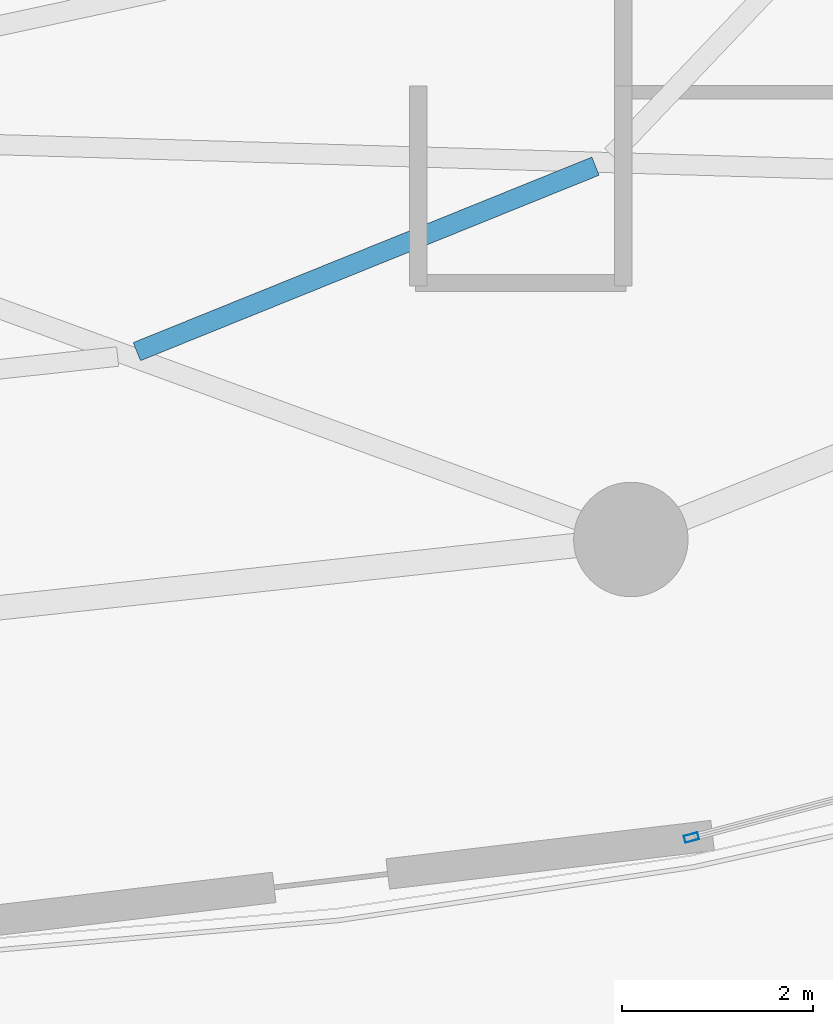
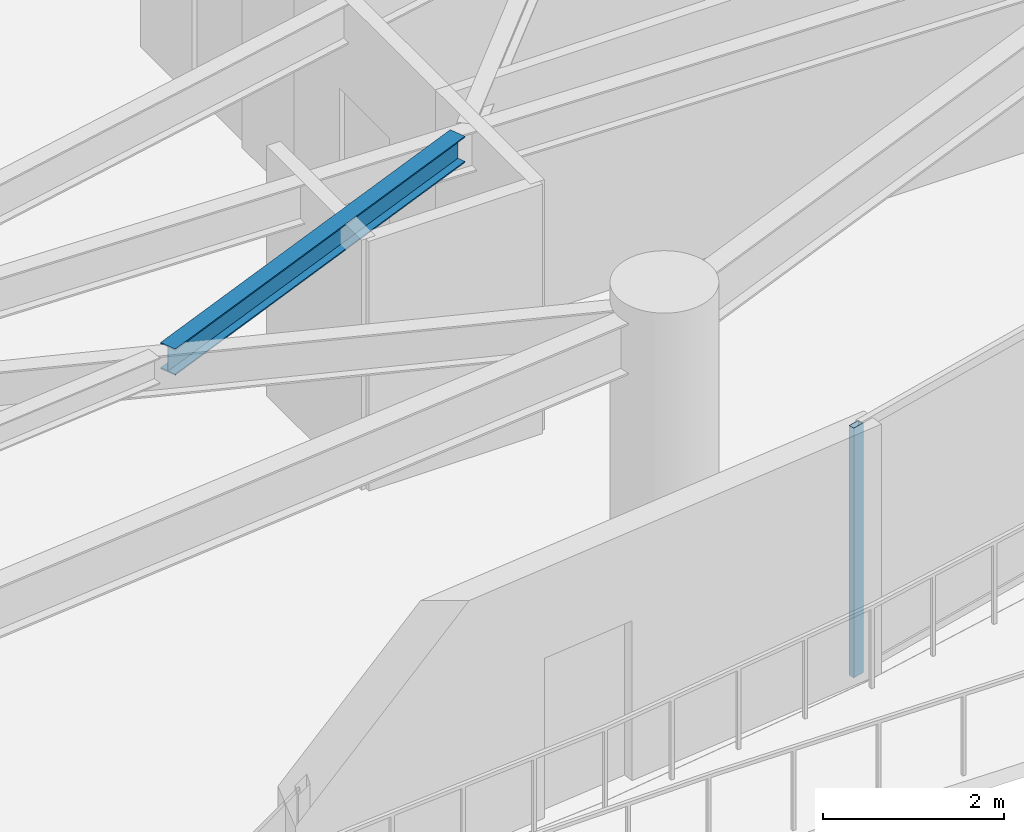
# One storey, part 12 of 33: 1 beam, 1 member, 1 element without a shape of its own.
"""IFC4 building model written with IfcOpenShell, lengths in metres."""

import ifcopenshell
import ifcopenshell.guid

model = None  # the IFC model being written
_history = None  # IfcOwnerHistory: only IFC2X3 demands one
_inside = {}  # id of a spatial element -> (the spatial element, [elements in it])
_under = {}  # id of a project, library or spatial element -> (it, [spatial elements below it])
_declared = {}  # id of a project -> (the project, [libraries it declares])
_typed = {}  # id of a type object -> (the type object, [elements of that type])
_made_of = {}  # id of a material, layer set ... -> (it, [elements and type objects made of it])


def new_model(schema):
    """Start an empty IFC model of exactly this schema.

    Asked for "IFC4X3", IfcOpenShell would pick the latest addendum, in which some entities
    have other attributes; the version numbers below select the first issue.
    IFC2X3 requires an IfcOwnerHistory on every rooted entity: one is made here for all.
    """
    global model, _history
    if schema == "IFC4X3":
        model = ifcopenshell.file(schema_version=(4, 3, 0, 0))
    else:
        model = ifcopenshell.file(schema=schema)
    _inside.clear()
    _under.clear()
    _declared.clear()
    _typed.clear()
    _made_of.clear()
    _history = None
    if model.schema == "IFC2X3":
        org = make("IfcOrganization", Name="unknown")
        user = make(
            "IfcPersonAndOrganization",
            ThePerson=make("IfcPerson", FamilyName="unknown"),
            TheOrganization=org,
        )
        app = make(
            "IfcApplication",
            ApplicationDeveloper=org,
            Version="unknown",
            ApplicationFullName="unknown",
            ApplicationIdentifier="unknown",
        )
        _history = make(
            "IfcOwnerHistory",
            OwningUser=user,
            OwningApplication=app,
            ChangeAction="ADDED",
            CreationDate=0,
        )
    return model


def make(cls, **values):
    """One entity of the class cls with the attributes given. An attribute that is None is left unset."""
    return model.create_entity(
        cls, **{name: value for name, value in values.items() if value is not None}
    )


def rooted(cls, **values):
    """An entity with a GlobalId (a new one), such as an element, a storey or a relation."""
    return make(cls, GlobalId=ifcopenshell.guid.new(), OwnerHistory=_history, **values)


def si_unit(unit_type, name, prefix=None):
    """IfcSIUnit, for example si_unit("LENGTHUNIT", "METRE", prefix="MILLI")."""
    return make("IfcSIUnit", UnitType=unit_type, Prefix=prefix, Name=name)


def assignment(units):
    """IfcUnitAssignment: the units of a project."""
    return None if units is None else make("IfcUnitAssignment", Units=units)


def point(xyz):
    """IfcCartesianPoint."""
    return None if xyz is None else make("IfcCartesianPoint", Coordinates=xyz)


def direction(xyz):
    """IfcDirection."""
    return None if xyz is None else make("IfcDirection", DirectionRatios=xyz)


def frame(location, z_axis=None, x_axis=None):
    """IfcAxis2Placement3D, a coordinate frame: its origin and axes. An axis left out is left unset."""
    return make(
        "IfcAxis2Placement3D",
        Location=point(location),
        Axis=direction(z_axis),
        RefDirection=direction(x_axis),
    )


def frame_2d(location, x_axis=None):
    """IfcAxis2Placement2D, a coordinate frame in the plane: its origin and x axis."""
    return make(
        "IfcAxis2Placement2D", Location=point(location), RefDirection=direction(x_axis)
    )


def origin():
    """The frame at (0, 0, 0) with its axes left unset."""
    return frame((0.0, 0.0, 0.0))


def origin_2d():
    """The frame at (0, 0) in the plane with its x axis left unset."""
    return frame_2d((0.0, 0.0))


def place(relative_to, where):
    """IfcLocalPlacement: puts the frame where relative to a parent placement (None: the world)."""
    return make(
        "IfcLocalPlacement", PlacementRelTo=relative_to, RelativePlacement=where
    )


def context(
    kind, dimensions, precision=None, world=None, true_north=None, identifier=None
):
    """IfcGeometricRepresentationContext, for example the 3D "Model" context."""
    return make(
        "IfcGeometricRepresentationContext",
        ContextIdentifier=identifier,
        ContextType=kind,
        CoordinateSpaceDimension=dimensions,
        Precision=precision,
        WorldCoordinateSystem=world,
        TrueNorth=true_north,
    )


def subcontext(parent, identifier, kind, view, scale=None):
    """IfcGeometricRepresentationSubContext, for example "Body" below "Model"."""
    return make(
        "IfcGeometricRepresentationSubContext",
        ContextIdentifier=identifier,
        ContextType=kind,
        ParentContext=parent,
        TargetScale=scale,
        TargetView=view,
    )


def project(units=None, contexts=None):
    """IfcProject with its units and contexts."""
    return rooted(
        "IfcProject",
        Name="project",
        RepresentationContexts=contexts,
        UnitsInContext=assignment(units),
    )


def spatial(cls, under=None, at=None, **own):
    """A site, building, storey or space (cls), placed at a placement, below another one or the project."""
    s = rooted(cls, ObjectPlacement=at, **own)
    if under is not None:
        _under.setdefault(under.id(), (under, []))[1].append(s)
    return s


def profile(cls, at=None, kind="AREA", **sizes):
    """A parametric profile (cls). Its sizes go by their IFC names, for example OverallWidth=200.0."""
    return make(cls, ProfileType=kind, Position=at, **sizes)


def hollow_rectangle(**sizes):
    """IfcRectangleHollowProfileDef."""
    return profile("IfcRectangleHollowProfileDef", **sizes)


def i_section(**sizes):
    """IfcIShapeProfileDef."""
    return profile("IfcIShapeProfileDef", **sizes)


def extrude(swept, where, along, depth):
    """IfcExtrudedAreaSolid: the profile swept, set in the frame where, extruded along a direction by depth."""
    return make(
        "IfcExtrudedAreaSolid",
        SweptArea=swept,
        Position=where,
        ExtrudedDirection=direction(along),
        Depth=depth,
    )


def shape(context_of_items, identifier, shape_type, items):
    """IfcShapeRepresentation: the items that make up one representation, for example the "Body"."""
    return make(
        "IfcShapeRepresentation",
        ContextOfItems=context_of_items,
        RepresentationIdentifier=identifier,
        RepresentationType=shape_type,
        Items=items,
    )


def material(Name=None, Category=None):
    """IfcMaterial."""
    return make("IfcMaterial", Name=Name, Category=Category)


def layer(
    of_material, thickness, ventilated=None, Name=None, Category=None, Priority=None
):
    """IfcMaterialLayer: one layer of a wall or slab, of a material (None: an air gap)."""
    return make(
        "IfcMaterialLayer",
        Material=of_material,
        LayerThickness=thickness,
        IsVentilated=ventilated,
        Name=Name,
        Category=Category,
        Priority=Priority,
    )


def layer_set(layers, Name=None):
    """IfcMaterialLayerSet."""
    return make("IfcMaterialLayerSet", MaterialLayers=layers, LayerSetName=Name)


def material_profile(
    of_material, cross_section, Name=None, Category=None, Priority=None
):
    """IfcMaterialProfile: a cross section and its material."""
    return make(
        "IfcMaterialProfile",
        Name=Name,
        Material=of_material,
        Profile=cross_section,
        Priority=Priority,
        Category=Category,
    )


def profile_set(profiles, Name=None, composite=None):
    """IfcMaterialProfileSet."""
    return make(
        "IfcMaterialProfileSet",
        Name=Name,
        MaterialProfiles=profiles,
        CompositeProfile=composite,
    )


def made_of(thing, what):
    """Note that an element or type object is made of a material, layer set ...; save() writes the relation."""
    if what is not None:
        _made_of.setdefault(what.id(), (what, []))[1].append(thing)
    return thing


def type_object(cls, material=None, **own):
    """A type object (cls), such as IfcWallType, which elements share."""
    return made_of(rooted(cls, **own), material)


def element(
    cls,
    number,
    at=None,
    inside=None,
    cuts=None,
    type_object=None,
    material=None,
    context=None,
    identifier="Body",
    shape_type=None,
    held_by="IfcProductDefinitionShape",
    body=None,
    shapes=None,
    **own,
):
    """One element of the class cls, such as IfcWall. Its Tag is "e" and its number.

    at: its placement. inside: the storey or other place that contains it. cuts: it is an
    opening in that element (IfcRelVoidsElement). A single representation is given by context,
    identifier, shape_type and body (its items); several are given by shapes. held_by: the class
    of the entity that holds the representations. save() writes the other relations.
    """
    e = rooted(cls, Tag="e%d" % number, ObjectPlacement=at, **own)
    if body is not None:
        shapes = [shape(context, identifier, shape_type, body)]
    if shapes is not None:
        e.Representation = make(held_by, Representations=shapes)
    if inside is not None:
        _inside.setdefault(inside.id(), (inside, []))[1].append(e)
    if cuts is not None:
        rooted(
            "IfcRelVoidsElement", RelatingBuildingElement=cuts, RelatedOpeningElement=e
        )
    if type_object is not None:
        _typed.setdefault(type_object.id(), (type_object, []))[1].append(e)
    return made_of(e, material)


def aggregate(whole, parts):
    """IfcRelAggregates: a whole, such as a stair, and the parts it consists of."""
    return rooted("IfcRelAggregates", RelatingObject=whole, RelatedObjects=parts)


def save(model, path):
    """Write the relations noted so far, then the file.

    IfcRelAggregates (storeys below a building ...), IfcRelContainedInSpatialStructure (elements
    in a storey), IfcRelDefinesByType, IfcRelAssociatesMaterial and IfcRelDeclares: one each for
    every whole, place, type object, material and project.
    """
    for whole, parts in _under.values():
        aggregate(whole, parts)
    for where, things in _inside.values():
        rooted(
            "IfcRelContainedInSpatialStructure",
            RelatedElements=things,
            RelatingStructure=where,
        )
    for kind, things in _typed.values():
        rooted("IfcRelDefinesByType", RelatedObjects=things, RelatingType=kind)
    for what, things in _made_of.values():
        rooted("IfcRelAssociatesMaterial", RelatedObjects=things, RelatingMaterial=what)
    for by, libraries in _declared.values():
        rooted("IfcRelDeclares", RelatingContext=by, RelatedDefinitions=libraries)
    model.write(path)


model = new_model("IFC4")

# Units and contexts
model_context = context("Model", 3, precision=1e-05, world=origin(), true_north=direction((0.0, 1.0)))
body_context = subcontext(model_context, "Body", "Model", "MODEL_VIEW")
ifc_project = project(units=[si_unit("LENGTHUNIT", "METRE"), si_unit("AREAUNIT", "SQUARE_METRE"), si_unit("VOLUMEUNIT", "CUBIC_METRE"), si_unit("PLANEANGLEUNIT", "RADIAN"), si_unit("MASSUNIT", "GRAM", prefix="KILO")], contexts=[model_context])

# Site, building, storey
site_placement = place(None, origin())
site = spatial("IfcSite", under=ifc_project, at=site_placement, CompositionType="ELEMENT")
building_placement = place(site_placement, origin())
building = spatial("IfcBuilding", under=site, at=building_placement, Name="Kazevale Care Tower and Concert Hall", CompositionType="ELEMENT")
storey_placement = place(building_placement, frame((0.0, 0.0, 153.0)))
storey = spatial("IfcBuildingStorey", under=building, at=storey_placement, Name="L40", CompositionType="ELEMENT", Elevation=153.0)

# Curtain wall, member
ifc_material_1 = material(Name="Aluminium 6063-T6 and Low-E Glass", Category="aluminium")
ifc_layer = layer(ifc_material_1, 0.179931640625)
ifc_layer_set = layer_set([ifc_layer], Name="Aluminium 6063-T6 and Low-E Glass")
curtain_wall_type = type_object("IfcCurtainWallType", Name="Sheltered Concave Balcony Curtain Wall CW-5", PredefinedType="NOTDEFINED", material=ifc_layer_set)
curtain_wall_placement = place(storey_placement, origin())
curtain_wall = element("IfcCurtainWall", 1, at=curtain_wall_placement, inside=storey, type_object=curtain_wall_type, Name="cw:L40:f04", PredefinedType="NOTDEFINED")
ifc_material_2 = material(Name="Aluminium 6063-T6", Category="aluminium")
ifc_material_profile_1 = material_profile(ifc_material_2, hollow_rectangle(XDim=0.074951171875, YDim=0.14990234375, WallThickness=0.00390625, at=origin_2d()), Name="ALU75x150x4")
ifc_profile_set_1 = profile_set([ifc_material_profile_1], Name="Aluminium 6063-T6")
member_type = type_object("IfcMemberType", Name="CW-5 Mullion ALU75x150x4", PredefinedType="MULLION", material=ifc_profile_set_1)
member_placement = place(storey_placement, frame((56.365234375, 16.18359375, 0.0), z_axis=(0.0, 0.0, 1.0), x_axis=(0.254238458229, -0.967141564797, 0.0)))
member = element("IfcMember", 2, at=member_placement, type_object=member_type, Name="CW-5 mullion 2", PredefinedType="MULLION", context=body_context, shape_type="SweptSolid", body=[
    extrude(hollow_rectangle(XDim=0.074951171875, YDim=0.14990234375, WallThickness=0.00390625, at=origin_2d()), origin(), (0.0, 0.0, 1.0), 3.360107421875),
])
aggregate(curtain_wall, [member])

# Beam
ifc_material_3 = material(Name="Steel ASTM A572 Gr 50", Category="steel")
ifc_material_profile_2 = material_profile(ifc_material_3, i_section(OverallWidth=0.205078125, OverallDepth=0.35400390625, WebThickness=0.009521484375, FlangeThickness=0.016845703125, at=origin_2d()), Name="W360x79")
ifc_profile_set_2 = profile_set([ifc_material_profile_2], Name="Steel ASTM A572 Gr 50")
beam_type = type_object("IfcBeamType", Name="Secondary Floor Joist W360x79", PredefinedType="JOIST", material=ifc_profile_set_2)
beam_placement = place(storey_placement, frame((50.549072265625, 21.280029296875, 3.18310546875), z_axis=(0.927064833216, 0.374901046964, 0.0), x_axis=(-0.374901046964, 0.927064833216, 0.0)))
element("IfcBeam", 3, at=beam_placement, inside=storey, type_object=beam_type, Name="beam:L40:joist:14", PredefinedType="JOIST", context=body_context, shape_type="SweptSolid", body=[
    extrude(i_section(OverallWidth=0.205078125, OverallDepth=0.35400390625, WebThickness=0.009521484375, FlangeThickness=0.016845703125, at=origin_2d()), origin(), (0.0, 0.0, 1.0), 5.188232421875),
])

save(model, "model.ifc")
